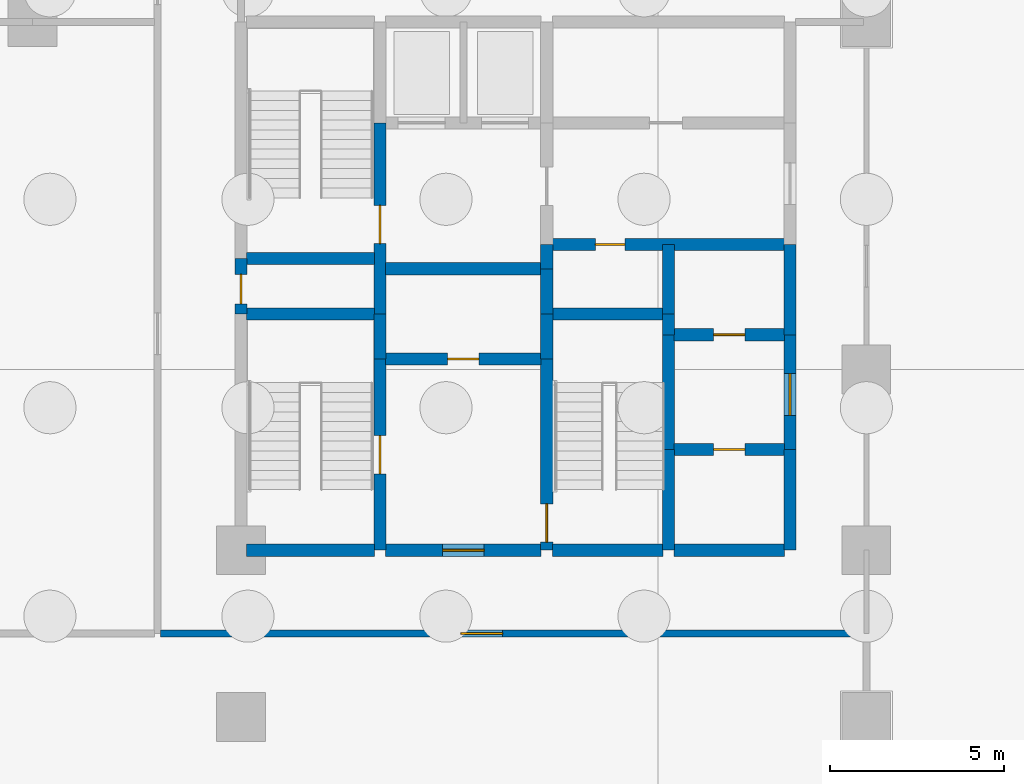
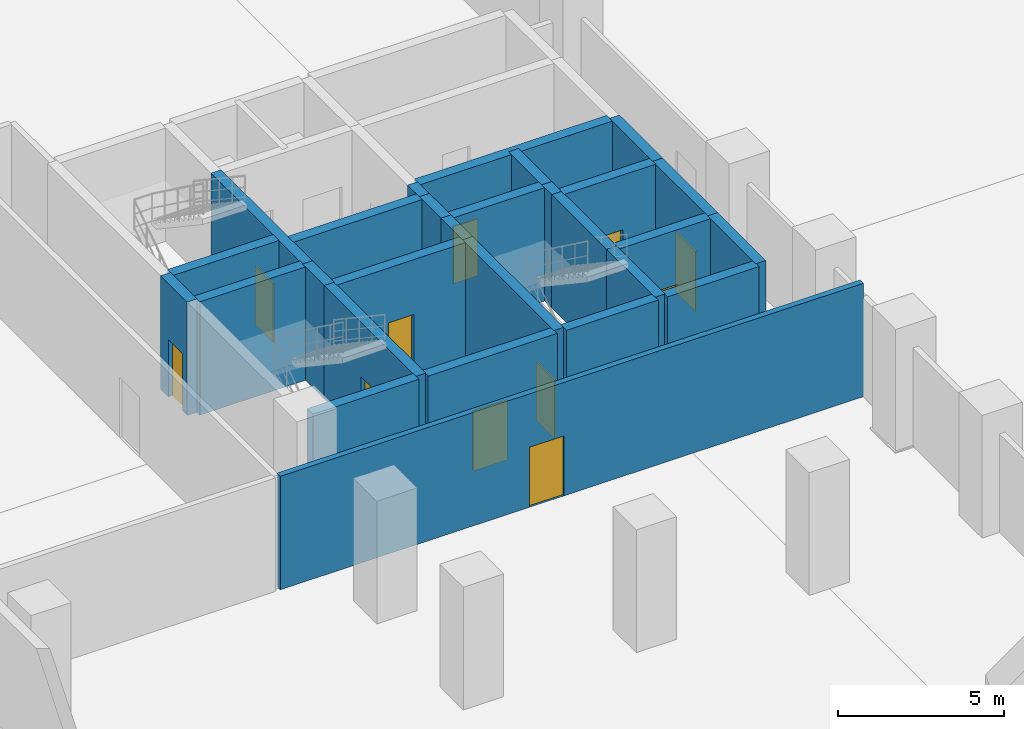
# One storey, part 4 of 8: 28 walls, 11 doors, 11 openings.
"""IFC4 building model written with IfcOpenShell, lengths in metres."""

from ifc_helpers import new_model, si_unit, direction, frame, frame_2d, origin, place, context, subcontext, project, spatial, rectangle, extrude, material, layer, layer_set, type_object, element, fill, save


model = new_model("IFC4")

# Units and contexts
model_context = context("Model", 3, precision=1e-05, world=origin(), true_north=direction((0.0, 1.0)))
body_context = subcontext(model_context, "Body", "Model", "MODEL_VIEW")
ifc_project = project(units=[si_unit("LENGTHUNIT", "METRE"), si_unit("AREAUNIT", "SQUARE_METRE"), si_unit("VOLUMEUNIT", "CUBIC_METRE"), si_unit("PLANEANGLEUNIT", "RADIAN"), si_unit("MASSUNIT", "GRAM", prefix="KILO")], contexts=[model_context])

# Site, building, storey
site_placement = place(None, origin())
site = spatial("IfcSite", under=ifc_project, at=site_placement, CompositionType="ELEMENT")
building_placement = place(site_placement, origin())
building = spatial("IfcBuilding", under=site, at=building_placement, Name="Keshet Zoharim Tower", CompositionType="ELEMENT")
storey_placement = place(building_placement, frame((0.0, 0.0, -9.0)))
storey = spatial("IfcBuildingStorey", under=building, at=storey_placement, Name="B2", CompositionType="ELEMENT", Elevation=-9.0)

# Wall, opening, door
ifc_material_1 = material(Name="Concrete C60/75", Category="concrete")
ifc_layer_1 = layer(ifc_material_1, 0.35009765625)
ifc_layer_set_1 = layer_set([ifc_layer_1], Name="Concrete C60/75")
wall_type_1 = type_object("IfcWallType", Name="WL-CORE-350", PredefinedType="SHEAR", material=ifc_layer_set_1)
wall_1_placement = place(storey_placement, frame((15.0, 29.5, 0.0), z_axis=(0.0, 0.0, 1.0), x_axis=(0.0, 1.0, 0.0)))
wall_1 = element("IfcWall", 1, at=wall_1_placement, inside=storey, type_object=wall_type_1, Name="B2 Core Shear Wall 003", PredefinedType="SHEAR", context=body_context, shape_type="SweptSolid", body=[
    extrude(rectangle(XDim=1.60009765625, YDim=0.35009765625, at=frame_2d((0.800048828125, 0.0))), origin(), (0.0, 0.0, 1.0), 4.159912109375),
])
opening_1_placement = place(wall_1_placement, frame((0.287109375, 0.0, 0.0)))
opening_1 = element("IfcOpeningElement", 2, at=opening_1_placement, cuts=wall_1, Name="Opening D-RS85", PredefinedType="OPENING", context=body_context, shape_type="SweptSolid", body=[
    extrude(rectangle(XDim=0.85009765625, YDim=2.10009765625, at=frame_2d((0.425048828125, 1.050048828125))), frame((0.0, 0.18505859375, 0.0), z_axis=(0.0, -1.0, 0.0), x_axis=(1.0, 0.0, 0.0)), (0.0, 0.0, 1.0), 0.3701171875),
])
ifc_material_2 = material(Name="Hardwood Timber", Category="wood")
door_type_1 = type_object("IfcDoorType", Name="DR-RIS-085", OperationType="NOTDEFINED", PredefinedType="DOOR", material=ifc_material_2)
door_1_placement = place(opening_1_placement, origin())
door_1 = element("IfcDoor", 3, at=door_1_placement, inside=storey, type_object=door_type_1, Name="B2 Electrical Riser Access Cupboard Door", OperationType="SINGLE_SWING_RIGHT", OverallHeight=2.10009765625, OverallWidth=0.85009765625, PredefinedType="DOOR", context=body_context, shape_type="SweptSolid", body=[
    extrude(rectangle(XDim=0.85009765625, YDim=2.10009765625, at=frame_2d((0.425048828125, 1.050048828125))), frame((0.0, 0.02490234375, 0.0), z_axis=(0.0, -1.0, 0.0), x_axis=(1.0, 0.0, 0.0)), (0.0, 0.0, 1.0), 0.050048828125),
])
fill(opening_1, door_1)

wall_2_placement = place(storey_placement, frame((19.0, 22.699951171875, 0.0), z_axis=(0.0, 0.0, 1.0), x_axis=(0.0, 1.0, 0.0)))
wall_2 = element("IfcWall", 4, at=wall_2_placement, inside=storey, type_object=wall_type_1, Name="B2 Core Shear Wall 006", PredefinedType="SHEAR", context=body_context, shape_type="SweptSolid", body=[
    extrude(rectangle(XDim=5.5, YDim=0.35009765625, at=frame_2d((2.75, 0.0))), origin(), (0.0, 0.0, 1.0), 4.159912109375),
])
opening_2_placement = place(wall_2_placement, frame((2.199951171875, 0.0, 0.0)))
opening_2 = element("IfcOpeningElement", 5, at=opening_2_placement, cuts=wall_2, Name="Opening D-F611", PredefinedType="OPENING", context=body_context, shape_type="SweptSolid", body=[
    extrude(rectangle(XDim=1.10009765625, YDim=2.14990234375, at=frame_2d((0.550048828125, 1.074951171875))), frame((0.0, 0.18505859375, 0.0), z_axis=(0.0, -1.0, 0.0), x_axis=(1.0, 0.0, 0.0)), (0.0, 0.0, 1.0), 0.3701171875),
])
door_type_2 = type_object("IfcDoorType", Name="DR-FD60-110", OperationType="NOTDEFINED", PredefinedType="DOOR", material=ifc_material_2)
door_2_placement = place(opening_2_placement, origin())
door_2 = element("IfcDoor", 6, at=door_2_placement, inside=storey, type_object=door_type_2, Name="B2 Exit Stair ST-01 Fire Door", OperationType="SINGLE_SWING_LEFT", OverallHeight=2.14990234375, OverallWidth=1.10009765625, PredefinedType="DOOR", context=body_context, shape_type="SweptSolid", body=[
    extrude(rectangle(XDim=1.10009765625, YDim=2.14990234375, at=frame_2d((0.550048828125, 1.074951171875))), frame((0.0, 0.02490234375, 0.0), z_axis=(0.0, -1.0, 0.0), x_axis=(1.0, 0.0, 0.0)), (0.0, 0.0, 1.0), 0.050048828125),
])
fill(opening_2, door_2)

# Wall
wall_3_placement = place(storey_placement, frame((19.0, 28.199951171875, 0.0), z_axis=(0.0, 0.0, 1.0), x_axis=(0.0, 1.0, 0.0)))
element("IfcWall", 7, at=wall_3_placement, inside=storey, type_object=wall_type_1, Name="B2 Core Shear Wall 007", PredefinedType="SHEAR", context=body_context, shape_type="SweptSolid", body=[
    extrude(rectangle(XDim=1.300048828125, YDim=0.35009765625, at=frame_2d((0.64990234375, 0.0))), origin(), (0.0, 0.0, 1.0), 4.159912109375),
])

# Wall, opening, door
wall_4_placement = place(storey_placement, frame((19.0, 29.5, 0.0), z_axis=(0.0, 0.0, 1.0), x_axis=(0.0, 1.0, 0.0)))
wall_4 = element("IfcWall", 8, at=wall_4_placement, inside=storey, type_object=wall_type_1, Name="B2 Core Shear Wall 008", PredefinedType="SHEAR", context=body_context, shape_type="SweptSolid", body=[
    extrude(rectangle(XDim=5.5, YDim=0.35009765625, at=frame_2d((2.75, 0.0))), origin(), (0.0, 0.0, 1.0), 4.159912109375),
])
opening_3_placement = place(wall_4_placement, frame((2.02490234375, 0.0, 0.0)))
opening_3 = element("IfcOpeningElement", 9, at=opening_3_placement, cuts=wall_4, Name="Opening D-F611", PredefinedType="OPENING", context=body_context, shape_type="SweptSolid", body=[
    extrude(rectangle(XDim=1.10009765625, YDim=2.14990234375, at=frame_2d((0.550048828125, 1.074951171875))), frame((0.0, 0.18505859375, 0.0), z_axis=(0.0, -1.0, 0.0), x_axis=(1.0, 0.0, 0.0)), (0.0, 0.0, 1.0), 0.3701171875),
])
door_3_placement = place(opening_3_placement, origin())
door_3 = element("IfcDoor", 10, at=door_3_placement, inside=storey, type_object=door_type_2, Name="B2 Exit Stair ST-02 Fire Door", OperationType="SINGLE_SWING_RIGHT", OverallHeight=2.14990234375, OverallWidth=1.10009765625, PredefinedType="DOOR", context=body_context, shape_type="SweptSolid", body=[
    extrude(rectangle(XDim=1.10009765625, YDim=2.14990234375, at=frame_2d((0.550048828125, 1.074951171875))), frame((0.0, 0.02490234375, 0.0), z_axis=(0.0, -1.0, 0.0), x_axis=(1.0, 0.0, 0.0)), (0.0, 0.0, 1.0), 0.050048828125),
])
fill(opening_3, door_3)

wall_5_placement = place(storey_placement, frame((23.800048828125, 22.699951171875, 0.0), z_axis=(0.0, 0.0, 1.0), x_axis=(0.0, 1.0, 0.0)))
wall_5 = element("IfcWall", 11, at=wall_5_placement, inside=storey, type_object=wall_type_1, Name="B2 Core Shear Wall 011", PredefinedType="SHEAR", context=body_context, shape_type="SweptSolid", body=[
    extrude(rectangle(XDim=5.5, YDim=0.35009765625, at=frame_2d((2.75, 0.0))), origin(), (0.0, 0.0, 1.0), 4.159912109375),
])
opening_4_placement = place(wall_5_placement, frame((0.235107421875, 0.0, 0.0)))
opening_4 = element("IfcOpeningElement", 12, at=opening_4_placement, cuts=wall_5, Name="Opening D-F611", PredefinedType="OPENING", context=body_context, shape_type="SweptSolid", body=[
    extrude(rectangle(XDim=1.10009765625, YDim=2.14990234375, at=frame_2d((0.550048828125, 1.074951171875))), frame((0.0, 0.18505859375, 0.0), z_axis=(0.0, -1.0, 0.0), x_axis=(1.0, 0.0, 0.0)), (0.0, 0.0, 1.0), 0.3701171875),
])
door_4_placement = place(opening_4_placement, frame((1.10009765625, 0.0, 0.0), z_axis=(0.0, 0.0, 1.0), x_axis=(-1.0, 0.0, 0.0)))
door_4 = element("IfcDoor", 13, at=door_4_placement, inside=storey, type_object=door_type_2, Name="B2 Exit Stair ST-03 Fire Door", OperationType="SINGLE_SWING_LEFT", OverallHeight=2.14990234375, OverallWidth=1.10009765625, PredefinedType="DOOR", context=body_context, shape_type="SweptSolid", body=[
    extrude(rectangle(XDim=1.10009765625, YDim=2.14990234375, at=frame_2d((0.550048828125, 1.074951171875))), frame((0.0, 0.02490234375, 0.0), z_axis=(0.0, -1.0, 0.0), x_axis=(1.0, 0.0, 0.0)), (0.0, 0.0, 1.0), 0.050048828125),
])
fill(opening_4, door_4)

# Walls
for number, where, z_axis, x_axis, name in (
    (14, (23.800048828125, 28.199951171875, 0.0), (0.0, 0.0, 1.0), (0.0, 1.0, 0.0), "B2 Core Shear Wall 012"),
    (15, (23.800048828125, 29.5, 0.0), (0.0, 0.0, 1.0), (0.0, 1.0, 0.0), "B2 Core Shear Wall 013"),
):
    element("IfcWall", number, at=place(storey_placement, frame(where, z_axis=z_axis, x_axis=x_axis)), inside=storey, type_object=wall_type_1, Name=name, PredefinedType="SHEAR", context=body_context, shape_type="SweptSolid", body=[
        extrude(rectangle(XDim=1.300048828125, YDim=0.35009765625, at=frame_2d((0.64990234375, 0.0))), origin(), (0.0, 0.0, 1.0), 4.159912109375),
    ])
wall_6_placement = place(storey_placement, frame((23.800048828125, 30.800048828125, 0.0), z_axis=(0.0, 0.0, 1.0), x_axis=(0.0, 1.0, 0.0)))
element("IfcWall", 16, at=wall_6_placement, inside=storey, type_object=wall_type_1, Name="B2 Core Shear Wall 014", PredefinedType="SHEAR", context=body_context, shape_type="SweptSolid", body=[
    extrude(rectangle(XDim=0.699951171875, YDim=0.35009765625, at=frame_2d((0.35009765625, 0.0))), origin(), (0.0, 0.0, 1.0), 4.159912109375),
])
wall_7_placement = place(storey_placement, frame((27.300048828125, 22.699951171875, 0.0), z_axis=(0.0, 0.0, 1.0), x_axis=(0.0, 1.0, 0.0)))
element("IfcWall", 17, at=wall_7_placement, inside=storey, type_object=wall_type_1, Name="B2 Core Shear Wall 017", PredefinedType="SHEAR", context=body_context, shape_type="SweptSolid", body=[
    extrude(rectangle(XDim=2.900146484375, YDim=0.35009765625, at=frame_2d((1.4501953125, 0.0))), origin(), (0.0, 0.0, 1.0), 4.159912109375),
])
wall_8_placement = place(storey_placement, frame((27.300048828125, 25.60009765625, 0.0), z_axis=(0.0, 0.0, 1.0), x_axis=(0.0, 1.0, 0.0)))
element("IfcWall", 18, at=wall_8_placement, inside=storey, type_object=wall_type_1, Name="B2 Core Shear Wall 018", PredefinedType="SHEAR", context=body_context, shape_type="SweptSolid", body=[
    extrude(rectangle(XDim=3.2998046875, YDim=0.35009765625, at=frame_2d((1.64990234375, 0.0))), origin(), (0.0, 0.0, 1.0), 4.159912109375),
])
wall_9_placement = place(storey_placement, frame((27.300048828125, 28.89990234375, 0.0), z_axis=(0.0, 0.0, 1.0), x_axis=(0.0, 1.0, 0.0)))
element("IfcWall", 19, at=wall_9_placement, inside=storey, type_object=wall_type_1, Name="B2 Core Shear Wall 019", PredefinedType="SHEAR", context=body_context, shape_type="SweptSolid", body=[
    extrude(rectangle(XDim=0.60009765625, YDim=0.35009765625, at=frame_2d((0.300048828125, 0.0))), origin(), (0.0, 0.0, 1.0), 4.159912109375),
])
wall_10_placement = place(storey_placement, frame((27.300048828125, 29.5, 0.0), z_axis=(0.0, 0.0, 1.0), x_axis=(0.0, 1.0, 0.0)))
element("IfcWall", 20, at=wall_10_placement, inside=storey, type_object=wall_type_1, Name="B2 Core Shear Wall 020", PredefinedType="SHEAR", context=body_context, shape_type="SweptSolid", body=[
    extrude(rectangle(XDim=2.0, YDim=0.35009765625, at=frame_2d((1.0, 0.0))), origin(), (0.0, 0.0, 1.0), 4.159912109375),
])
wall_11_placement = place(storey_placement, frame((30.800048828125, 22.699951171875, 0.0), z_axis=(0.0, 0.0, 1.0), x_axis=(0.0, 1.0, 0.0)))
element("IfcWall", 21, at=wall_11_placement, inside=storey, type_object=wall_type_1, Name="B2 Core Shear Wall 021", PredefinedType="SHEAR", context=body_context, shape_type="SweptSolid", body=[
    extrude(rectangle(XDim=2.900146484375, YDim=0.35009765625, at=frame_2d((1.4501953125, 0.0))), origin(), (0.0, 0.0, 1.0), 4.159912109375),
])

# Wall, opening, door
wall_12_placement = place(storey_placement, frame((30.800048828125, 25.60009765625, 0.0), z_axis=(0.0, 0.0, 1.0), x_axis=(0.0, 1.0, 0.0)))
wall_12 = element("IfcWall", 22, at=wall_12_placement, inside=storey, type_object=wall_type_1, Name="B2 Core Shear Wall 022", PredefinedType="SHEAR", context=body_context, shape_type="SweptSolid", body=[
    extrude(rectangle(XDim=3.2998046875, YDim=0.35009765625, at=frame_2d((1.64990234375, 0.0))), origin(), (0.0, 0.0, 1.0), 4.159912109375),
])
opening_5_placement = place(wall_12_placement, frame((0.97802734375, 0.0, 0.0)))
opening_5 = element("IfcOpeningElement", 23, at=opening_5_placement, cuts=wall_12, Name="Opening D-F612", PredefinedType="OPENING", context=body_context, shape_type="SweptSolid", body=[
    extrude(rectangle(XDim=1.199951171875, YDim=2.199951171875, at=frame_2d((0.60009765625, 1.10009765625))), frame((0.0, 0.18505859375, 0.0), z_axis=(0.0, -1.0, 0.0), x_axis=(1.0, 0.0, 0.0)), (0.0, 0.0, 1.0), 0.3701171875),
])
door_type_3 = type_object("IfcDoorType", Name="DR-FD60-120", OperationType="NOTDEFINED", PredefinedType="DOOR", material=ifc_material_2)
door_5_placement = place(opening_5_placement, origin())
door_5 = element("IfcDoor", 24, at=door_5_placement, inside=storey, type_object=door_type_3, Name="B2 East Lift Lobby Fire Door", OperationType="SINGLE_SWING_LEFT", OverallHeight=2.199951171875, OverallWidth=1.199951171875, PredefinedType="DOOR", context=body_context, shape_type="SweptSolid", body=[
    extrude(rectangle(XDim=1.199951171875, YDim=2.199951171875, at=frame_2d((0.60009765625, 1.10009765625))), frame((0.0, 0.02490234375, 0.0), z_axis=(0.0, -1.0, 0.0), x_axis=(1.0, 0.0, 0.0)), (0.0, 0.0, 1.0), 0.050048828125),
])
fill(opening_5, door_5)

# Walls
wall_13_placement = place(storey_placement, frame((30.800048828125, 28.89990234375, 0.0), z_axis=(0.0, 0.0, 1.0), x_axis=(0.0, 1.0, 0.0)))
element("IfcWall", 25, at=wall_13_placement, inside=storey, type_object=wall_type_1, Name="B2 Core Shear Wall 023", PredefinedType="SHEAR", context=body_context, shape_type="SweptSolid", body=[
    extrude(rectangle(XDim=2.60009765625, YDim=0.35009765625, at=frame_2d((1.300048828125, 0.0))), origin(), (0.0, 0.0, 1.0), 4.159912109375),
])
wall_14_placement = place(storey_placement, frame((15.159912109375, 22.699951171875, 0.0), z_axis=(0.0, 0.0, 1.0), x_axis=(1.0, 0.0, 0.0)))
element("IfcWall", 26, at=wall_14_placement, inside=storey, type_object=wall_type_1, Name="B2 Core Shear Wall 033", PredefinedType="SHEAR", context=body_context, shape_type="SweptSolid", body=[
    extrude(rectangle(XDim=3.68017578125, YDim=0.35009765625, at=frame_2d((1.840087890625, 0.0))), origin(), (0.0, 0.0, 1.0), 4.159912109375),
])

# Wall, opening, door
wall_15_placement = place(storey_placement, frame((19.159912109375, 22.699951171875, 0.0), z_axis=(0.0, 0.0, 1.0), x_axis=(1.0, 0.0, 0.0)))
wall_15 = element("IfcWall", 27, at=wall_15_placement, inside=storey, type_object=wall_type_1, Name="B2 Core Shear Wall 034", PredefinedType="SHEAR", context=body_context, shape_type="SweptSolid", body=[
    extrude(rectangle(XDim=4.47998046875, YDim=0.35009765625, at=frame_2d((2.239990234375, 0.0))), origin(), (0.0, 0.0, 1.0), 4.159912109375),
])
opening_6_placement = place(wall_15_placement, frame((1.639892578125, 0.0, 0.0)))
opening_6 = element("IfcOpeningElement", 28, at=opening_6_placement, cuts=wall_15, Name="Opening D-F612", PredefinedType="OPENING", context=body_context, shape_type="SweptSolid", body=[
    extrude(rectangle(XDim=1.199951171875, YDim=2.199951171875, at=frame_2d((0.60009765625, 1.10009765625))), frame((0.0, 0.18505859375, 0.0), z_axis=(0.0, -1.0, 0.0), x_axis=(1.0, 0.0, 0.0)), (0.0, 0.0, 1.0), 0.3701171875),
])
door_6_placement = place(opening_6_placement, origin())
door_6 = element("IfcDoor", 29, at=door_6_placement, inside=storey, type_object=door_type_3, Name="B2 South Core Lobby Fire Door", OperationType="SINGLE_SWING_LEFT", OverallHeight=2.199951171875, OverallWidth=1.199951171875, PredefinedType="DOOR", context=body_context, shape_type="SweptSolid", body=[
    extrude(rectangle(XDim=1.199951171875, YDim=2.199951171875, at=frame_2d((0.60009765625, 1.10009765625))), frame((0.0, 0.02490234375, 0.0), z_axis=(0.0, -1.0, 0.0), x_axis=(1.0, 0.0, 0.0)), (0.0, 0.0, 1.0), 0.050048828125),
])
fill(opening_6, door_6)

# Walls
for number, where, z_axis, x_axis, name in (
    (30, (23.9599609375, 22.699951171875, 0.0), (0.0, 0.0, 1.0), (1.0, 0.0, 0.0), "B2 Core Shear Wall 035"),
    (31, (27.4599609375, 22.699951171875, 0.0), (0.0, 0.0, 1.0), (1.0, 0.0, 0.0), "B2 Core Shear Wall 036"),
):
    element("IfcWall", number, at=place(storey_placement, frame(where, z_axis=z_axis, x_axis=x_axis)), inside=storey, type_object=wall_type_1, Name=name, PredefinedType="SHEAR", context=body_context, shape_type="SweptSolid", body=[
        extrude(rectangle(XDim=3.179931640625, YDim=0.35009765625, at=frame_2d((1.58984375, 0.0))), origin(), (0.0, 0.0, 1.0), 4.159912109375),
    ])

# Wall, opening, door
wall_16_placement = place(storey_placement, frame((27.4599609375, 25.60009765625, 0.0), z_axis=(0.0, 0.0, 1.0), x_axis=(1.0, 0.0, 0.0)))
wall_16 = element("IfcWall", 32, at=wall_16_placement, inside=storey, type_object=wall_type_1, Name="B2 Core Shear Wall 038", PredefinedType="SHEAR", context=body_context, shape_type="SweptSolid", body=[
    extrude(rectangle(XDim=3.179931640625, YDim=0.35009765625, at=frame_2d((1.58984375, 0.0))), origin(), (0.0, 0.0, 1.0), 4.159912109375),
])
opening_7_placement = place(wall_16_placement, frame((1.139892578125, 0.0, 0.0)))
opening_7 = element("IfcOpeningElement", 33, at=opening_7_placement, cuts=wall_16, Name="Opening D-F690", PredefinedType="OPENING", context=body_context, shape_type="SweptSolid", body=[
    extrude(rectangle(XDim=0.89990234375, YDim=2.14990234375, at=frame_2d((0.449951171875, 1.074951171875))), frame((0.0, 0.18505859375, 0.0), z_axis=(0.0, -1.0, 0.0), x_axis=(1.0, 0.0, 0.0)), (0.0, 0.0, 1.0), 0.3701171875),
])
door_type_4 = type_object("IfcDoorType", Name="DR-FD60-090", OperationType="NOTDEFINED", PredefinedType="DOOR", material=ifc_material_2)
door_7_placement = place(opening_7_placement, origin())
door_7 = element("IfcDoor", 34, at=door_7_placement, inside=storey, type_object=door_type_4, Name="B2 Mid-Rise South Pit Door", OperationType="SINGLE_SWING_RIGHT", OverallHeight=2.14990234375, OverallWidth=0.89990234375, PredefinedType="DOOR", context=body_context, shape_type="SweptSolid", body=[
    extrude(rectangle(XDim=0.89990234375, YDim=2.14990234375, at=frame_2d((0.449951171875, 1.074951171875))), frame((0.0, 0.02490234375, 0.0), z_axis=(0.0, -1.0, 0.0), x_axis=(1.0, 0.0, 0.0)), (0.0, 0.0, 1.0), 0.050048828125),
])
fill(opening_7, door_7)

wall_17_placement = place(storey_placement, frame((19.159912109375, 28.199951171875, 0.0), z_axis=(0.0, 0.0, 1.0), x_axis=(1.0, 0.0, 0.0)))
wall_17 = element("IfcWall", 35, at=wall_17_placement, inside=storey, type_object=wall_type_1, Name="B2 Core Shear Wall 039", PredefinedType="SHEAR", context=body_context, shape_type="SweptSolid", body=[
    extrude(rectangle(XDim=4.47998046875, YDim=0.35009765625, at=frame_2d((2.239990234375, 0.0))), origin(), (0.0, 0.0, 1.0), 4.159912109375),
])
opening_8_placement = place(wall_17_placement, frame((1.7900390625, 0.0, 0.0)))
opening_8 = element("IfcOpeningElement", 36, at=opening_8_placement, cuts=wall_17, Name="Opening D-F690", PredefinedType="OPENING", context=body_context, shape_type="SweptSolid", body=[
    extrude(rectangle(XDim=0.89990234375, YDim=2.14990234375, at=frame_2d((0.449951171875, 1.074951171875))), frame((0.0, 0.18505859375, 0.0), z_axis=(0.0, -1.0, 0.0), x_axis=(1.0, 0.0, 0.0)), (0.0, 0.0, 1.0), 0.3701171875),
])
door_8_placement = place(opening_8_placement, frame((0.89990234375, 0.0, 0.0), z_axis=(0.0, 0.0, 1.0), x_axis=(-1.0, 0.0, 0.0)))
door_8 = element("IfcDoor", 37, at=door_8_placement, inside=storey, type_object=door_type_4, Name="B2 High-Rise Lift Pit Door", OperationType="SINGLE_SWING_LEFT", OverallHeight=2.14990234375, OverallWidth=0.89990234375, PredefinedType="DOOR", context=body_context, shape_type="SweptSolid", body=[
    extrude(rectangle(XDim=0.89990234375, YDim=2.14990234375, at=frame_2d((0.449951171875, 1.074951171875))), frame((0.0, 0.02490234375, 0.0), z_axis=(0.0, -1.0, 0.0), x_axis=(1.0, 0.0, 0.0)), (0.0, 0.0, 1.0), 0.050048828125),
])
fill(opening_8, door_8)

wall_18_placement = place(storey_placement, frame((27.4599609375, 28.89990234375, 0.0), z_axis=(0.0, 0.0, 1.0), x_axis=(1.0, 0.0, 0.0)))
wall_18 = element("IfcWall", 38, at=wall_18_placement, inside=storey, type_object=wall_type_1, Name="B2 Core Shear Wall 040", PredefinedType="SHEAR", context=body_context, shape_type="SweptSolid", body=[
    extrude(rectangle(XDim=3.179931640625, YDim=0.35009765625, at=frame_2d((1.58984375, 0.0))), origin(), (0.0, 0.0, 1.0), 4.159912109375),
])
opening_9_placement = place(wall_18_placement, frame((1.139892578125, 0.0, 0.0)))
opening_9 = element("IfcOpeningElement", 39, at=opening_9_placement, cuts=wall_18, Name="Opening D-F690", PredefinedType="OPENING", context=body_context, shape_type="SweptSolid", body=[
    extrude(rectangle(XDim=0.89990234375, YDim=2.14990234375, at=frame_2d((0.449951171875, 1.074951171875))), frame((0.0, 0.18505859375, 0.0), z_axis=(0.0, -1.0, 0.0), x_axis=(1.0, 0.0, 0.0)), (0.0, 0.0, 1.0), 0.3701171875),
])
door_9_placement = place(opening_9_placement, frame((0.89990234375, 0.0, 0.0), z_axis=(0.0, 0.0, 1.0), x_axis=(-1.0, 0.0, 0.0)))
door_9 = element("IfcDoor", 40, at=door_9_placement, inside=storey, type_object=door_type_4, Name="B2 Mid-Rise North Pit Door", OperationType="SINGLE_SWING_RIGHT", OverallHeight=2.14990234375, OverallWidth=0.89990234375, PredefinedType="DOOR", context=body_context, shape_type="SweptSolid", body=[
    extrude(rectangle(XDim=0.89990234375, YDim=2.14990234375, at=frame_2d((0.449951171875, 1.074951171875))), frame((0.0, 0.02490234375, 0.0), z_axis=(0.0, -1.0, 0.0), x_axis=(1.0, 0.0, 0.0)), (0.0, 0.0, 1.0), 0.050048828125),
])
fill(opening_9, door_9)

# Walls
wall_19_placement = place(storey_placement, frame((15.159912109375, 29.5, 0.0), z_axis=(0.0, 0.0, 1.0), x_axis=(1.0, 0.0, 0.0)))
element("IfcWall", 41, at=wall_19_placement, inside=storey, type_object=wall_type_1, Name="B2 Core Shear Wall 041", PredefinedType="SHEAR", context=body_context, shape_type="SweptSolid", body=[
    extrude(rectangle(XDim=3.68017578125, YDim=0.35009765625, at=frame_2d((1.840087890625, 0.0))), origin(), (0.0, 0.0, 1.0), 4.159912109375),
])
wall_20_placement = place(storey_placement, frame((23.9599609375, 29.5, 0.0), z_axis=(0.0, 0.0, 1.0), x_axis=(1.0, 0.0, 0.0)))
element("IfcWall", 42, at=wall_20_placement, inside=storey, type_object=wall_type_1, Name="B2 Core Shear Wall 042", PredefinedType="SHEAR", context=body_context, shape_type="SweptSolid", body=[
    extrude(rectangle(XDim=3.179931640625, YDim=0.35009765625, at=frame_2d((1.58984375, 0.0))), origin(), (0.0, 0.0, 1.0), 4.159912109375),
])
wall_21_placement = place(storey_placement, frame((19.159912109375, 30.800048828125, 0.0), z_axis=(0.0, 0.0, 1.0), x_axis=(1.0, 0.0, 0.0)))
element("IfcWall", 43, at=wall_21_placement, inside=storey, type_object=wall_type_1, Name="B2 Core Shear Wall 044", PredefinedType="SHEAR", context=body_context, shape_type="SweptSolid", body=[
    extrude(rectangle(XDim=4.47998046875, YDim=0.35009765625, at=frame_2d((2.239990234375, 0.0))), origin(), (0.0, 0.0, 1.0), 4.159912109375),
])
wall_22_placement = place(storey_placement, frame((15.159912109375, 31.10009765625, 0.0), z_axis=(0.0, 0.0, 1.0), x_axis=(1.0, 0.0, 0.0)))
element("IfcWall", 44, at=wall_22_placement, inside=storey, type_object=wall_type_1, Name="B2 Core Shear Wall 045", PredefinedType="SHEAR", context=body_context, shape_type="SweptSolid", body=[
    extrude(rectangle(XDim=3.68017578125, YDim=0.35009765625, at=frame_2d((1.840087890625, 0.0))), origin(), (0.0, 0.0, 1.0), 4.159912109375),
])

# Wall, opening, door
wall_23_placement = place(storey_placement, frame((23.9599609375, 31.5, 0.0), z_axis=(0.0, 0.0, 1.0), x_axis=(1.0, 0.0, 0.0)))
wall_23 = element("IfcWall", 45, at=wall_23_placement, inside=storey, type_object=wall_type_1, Name="B2 Core Shear Wall 046", PredefinedType="SHEAR", context=body_context, shape_type="SweptSolid", body=[
    extrude(rectangle(XDim=6.679931640625, YDim=0.35009765625, at=frame_2d((3.33984375, 0.0))), origin(), (0.0, 0.0, 1.0), 4.159912109375),
])
opening_10_placement = place(wall_23_placement, frame((1.239990234375, 0.0, 0.0)))
opening_10 = element("IfcOpeningElement", 46, at=opening_10_placement, cuts=wall_23, Name="Opening D-RS85", PredefinedType="OPENING", context=body_context, shape_type="SweptSolid", body=[
    extrude(rectangle(XDim=0.85009765625, YDim=2.10009765625, at=frame_2d((0.425048828125, 1.050048828125))), frame((0.0, 0.18505859375, 0.0), z_axis=(0.0, -1.0, 0.0), x_axis=(1.0, 0.0, 0.0)), (0.0, 0.0, 1.0), 0.3701171875),
])
door_10_placement = place(opening_10_placement, origin())
door_10 = element("IfcDoor", 47, at=door_10_placement, inside=storey, type_object=door_type_1, Name="B2 Telecom Riser Access Cupboard Door", OperationType="SINGLE_SWING_LEFT", OverallHeight=2.10009765625, OverallWidth=0.85009765625, PredefinedType="DOOR", context=body_context, shape_type="SweptSolid", body=[
    extrude(rectangle(XDim=0.85009765625, YDim=2.10009765625, at=frame_2d((0.425048828125, 1.050048828125))), frame((0.0, 0.02490234375, 0.0), z_axis=(0.0, -1.0, 0.0), x_axis=(1.0, 0.0, 0.0)), (0.0, 0.0, 1.0), 0.050048828125),
])
fill(opening_10, door_10)

ifc_material_3 = material(Name="Concrete C50/60", Category="concrete")
ifc_layer_2 = layer(ifc_material_3, 0.199951171875)
ifc_layer_set_2 = layer_set([ifc_layer_2], Name="Concrete C50/60")
wall_type_2 = type_object("IfcWallType", Name="WL-FIRE-200", PredefinedType="STANDARD", material=ifc_layer_set_2)
wall_24_placement = place(storey_placement, frame((12.68505859375, 20.300048828125, 0.0), z_axis=(0.0, 0.0, 1.0), x_axis=(1.0, 0.0, 0.0)))
wall_24 = element("IfcWall", 48, at=wall_24_placement, inside=storey, type_object=wall_type_2, Name="B2 Interior Wall 032", PredefinedType="STANDARD", context=body_context, shape_type="SweptSolid", body=[
    extrude(rectangle(XDim=20.22998046875, YDim=0.199951171875, at=frame_2d((10.114990234375, 0.0))), origin(), (0.0, 0.0, 1.0), 4.159912109375),
])
opening_11_placement = place(wall_24_placement, frame((8.64404296875, 0.0, 0.0)))
opening_11 = element("IfcOpeningElement", 49, at=opening_11_placement, cuts=wall_24, Name="Opening D-F612", PredefinedType="OPENING", context=body_context, shape_type="SweptSolid", body=[
    extrude(rectangle(XDim=1.199951171875, YDim=2.199951171875, at=frame_2d((0.60009765625, 1.10009765625))), frame((0.0, 0.10986328125, 0.0), z_axis=(0.0, -1.0, 0.0), x_axis=(1.0, 0.0, 0.0)), (0.0, 0.0, 1.0), 0.219970703125),
])
door_11_placement = place(opening_11_placement, origin())
door_11 = element("IfcDoor", 50, at=door_11_placement, inside=storey, type_object=door_type_3, Name="B2 HV Transformer Substation Room Fire Door", OperationType="SINGLE_SWING_RIGHT", OverallHeight=2.199951171875, OverallWidth=1.199951171875, PredefinedType="DOOR", context=body_context, shape_type="SweptSolid", body=[
    extrude(rectangle(XDim=1.199951171875, YDim=2.199951171875, at=frame_2d((0.60009765625, 1.10009765625))), frame((0.0, 0.02490234375, 0.0), z_axis=(0.0, -1.0, 0.0), x_axis=(1.0, 0.0, 0.0)), (0.0, 0.0, 1.0), 0.050048828125),
])
fill(opening_11, door_11)

save(model, "model.ifc")
